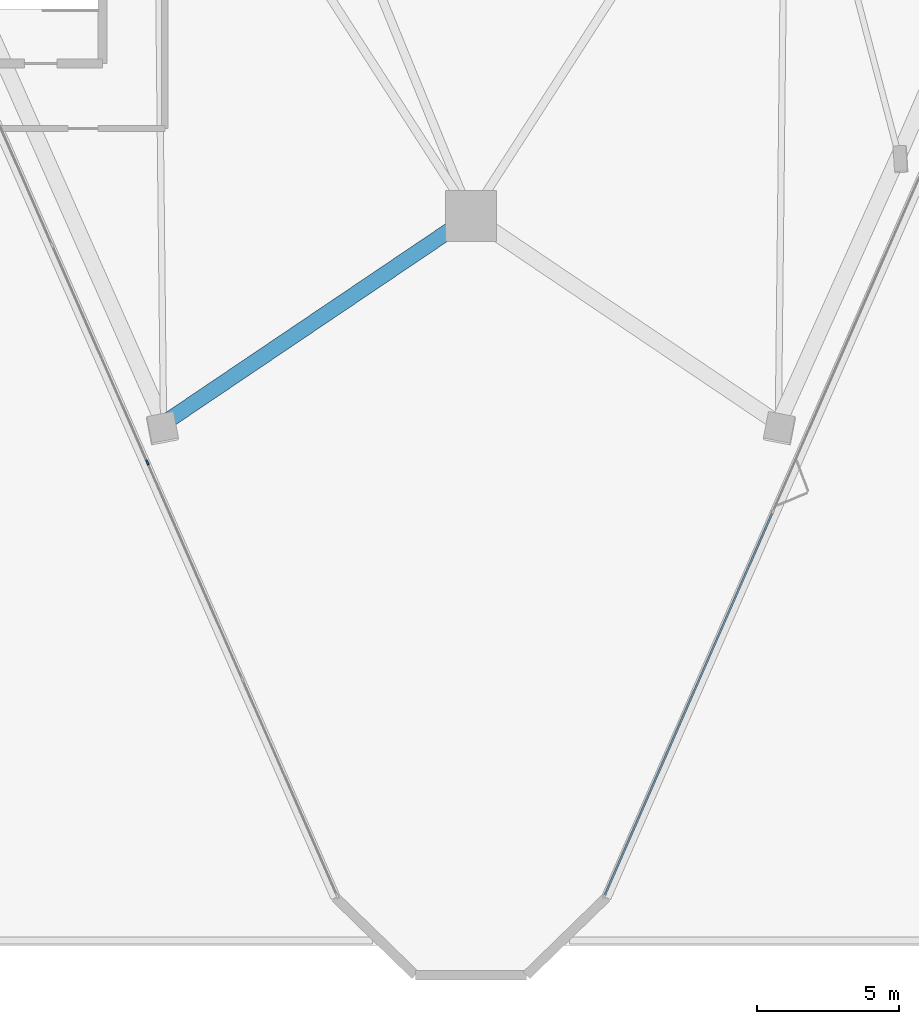
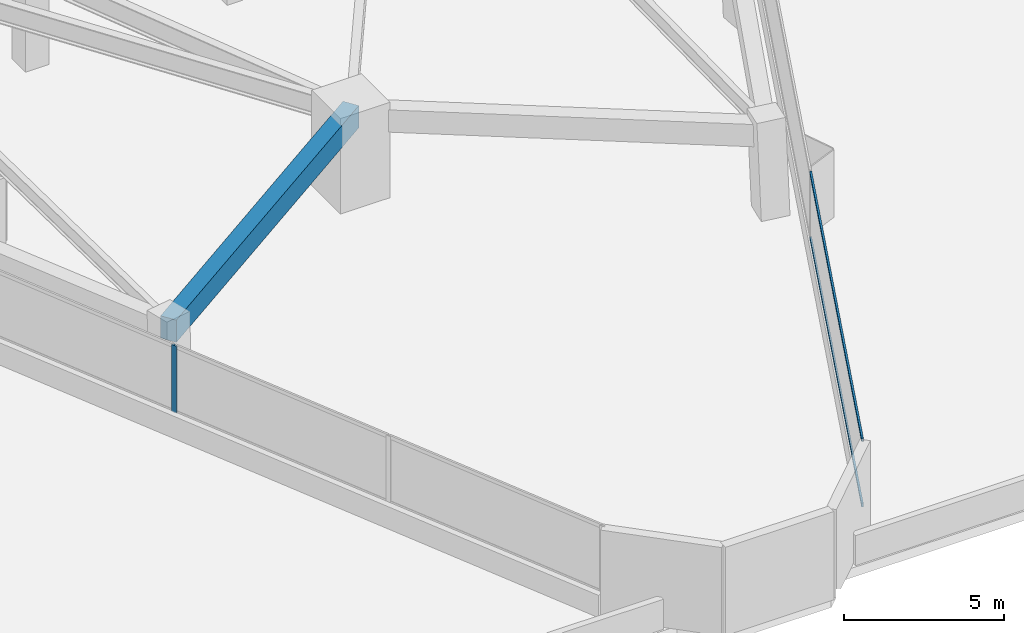
# One storey, part 3 of 21: 3 members, 1 beam, 2 elements without a shape of their own.
"""IFC4 building model written with IfcOpenShell, lengths in metres."""

import ifcopenshell
import ifcopenshell.guid

model = None  # the IFC model being written
_history = None  # IfcOwnerHistory: only IFC2X3 demands one
_inside = {}  # id of a spatial element -> (the spatial element, [elements in it])
_under = {}  # id of a project, library or spatial element -> (it, [spatial elements below it])
_declared = {}  # id of a project -> (the project, [libraries it declares])
_typed = {}  # id of a type object -> (the type object, [elements of that type])
_made_of = {}  # id of a material, layer set ... -> (it, [elements and type objects made of it])


def new_model(schema):
    """Start an empty IFC model of exactly this schema.

    Asked for "IFC4X3", IfcOpenShell would pick the latest addendum, in which some entities
    have other attributes; the version numbers below select the first issue.
    IFC2X3 requires an IfcOwnerHistory on every rooted entity: one is made here for all.
    """
    global model, _history
    if schema == "IFC4X3":
        model = ifcopenshell.file(schema_version=(4, 3, 0, 0))
    else:
        model = ifcopenshell.file(schema=schema)
    _inside.clear()
    _under.clear()
    _declared.clear()
    _typed.clear()
    _made_of.clear()
    _history = None
    if model.schema == "IFC2X3":
        org = make("IfcOrganization", Name="unknown")
        user = make(
            "IfcPersonAndOrganization",
            ThePerson=make("IfcPerson", FamilyName="unknown"),
            TheOrganization=org,
        )
        app = make(
            "IfcApplication",
            ApplicationDeveloper=org,
            Version="unknown",
            ApplicationFullName="unknown",
            ApplicationIdentifier="unknown",
        )
        _history = make(
            "IfcOwnerHistory",
            OwningUser=user,
            OwningApplication=app,
            ChangeAction="ADDED",
            CreationDate=0,
        )
    return model


def make(cls, **values):
    """One entity of the class cls with the attributes given. An attribute that is None is left unset."""
    return model.create_entity(
        cls, **{name: value for name, value in values.items() if value is not None}
    )


def rooted(cls, **values):
    """An entity with a GlobalId (a new one), such as an element, a storey or a relation."""
    return make(cls, GlobalId=ifcopenshell.guid.new(), OwnerHistory=_history, **values)


def si_unit(unit_type, name, prefix=None):
    """IfcSIUnit, for example si_unit("LENGTHUNIT", "METRE", prefix="MILLI")."""
    return make("IfcSIUnit", UnitType=unit_type, Prefix=prefix, Name=name)


def assignment(units):
    """IfcUnitAssignment: the units of a project."""
    return None if units is None else make("IfcUnitAssignment", Units=units)


def point(xyz):
    """IfcCartesianPoint."""
    return None if xyz is None else make("IfcCartesianPoint", Coordinates=xyz)


def direction(xyz):
    """IfcDirection."""
    return None if xyz is None else make("IfcDirection", DirectionRatios=xyz)


def frame(location, z_axis=None, x_axis=None):
    """IfcAxis2Placement3D, a coordinate frame: its origin and axes. An axis left out is left unset."""
    return make(
        "IfcAxis2Placement3D",
        Location=point(location),
        Axis=direction(z_axis),
        RefDirection=direction(x_axis),
    )


def frame_2d(location, x_axis=None):
    """IfcAxis2Placement2D, a coordinate frame in the plane: its origin and x axis."""
    return make(
        "IfcAxis2Placement2D", Location=point(location), RefDirection=direction(x_axis)
    )


def origin():
    """The frame at (0, 0, 0) with its axes left unset."""
    return frame((0.0, 0.0, 0.0))


def origin_2d():
    """The frame at (0, 0) in the plane with its x axis left unset."""
    return frame_2d((0.0, 0.0))


def place(relative_to, where):
    """IfcLocalPlacement: puts the frame where relative to a parent placement (None: the world)."""
    return make(
        "IfcLocalPlacement", PlacementRelTo=relative_to, RelativePlacement=where
    )


def context(
    kind, dimensions, precision=None, world=None, true_north=None, identifier=None
):
    """IfcGeometricRepresentationContext, for example the 3D "Model" context."""
    return make(
        "IfcGeometricRepresentationContext",
        ContextIdentifier=identifier,
        ContextType=kind,
        CoordinateSpaceDimension=dimensions,
        Precision=precision,
        WorldCoordinateSystem=world,
        TrueNorth=true_north,
    )


def subcontext(parent, identifier, kind, view, scale=None):
    """IfcGeometricRepresentationSubContext, for example "Body" below "Model"."""
    return make(
        "IfcGeometricRepresentationSubContext",
        ContextIdentifier=identifier,
        ContextType=kind,
        ParentContext=parent,
        TargetScale=scale,
        TargetView=view,
    )


def project(units=None, contexts=None):
    """IfcProject with its units and contexts."""
    return rooted(
        "IfcProject",
        Name="project",
        RepresentationContexts=contexts,
        UnitsInContext=assignment(units),
    )


def spatial(cls, under=None, at=None, **own):
    """A site, building, storey or space (cls), placed at a placement, below another one or the project."""
    s = rooted(cls, ObjectPlacement=at, **own)
    if under is not None:
        _under.setdefault(under.id(), (under, []))[1].append(s)
    return s


def profile(cls, at=None, kind="AREA", **sizes):
    """A parametric profile (cls). Its sizes go by their IFC names, for example OverallWidth=200.0."""
    return make(cls, ProfileType=kind, Position=at, **sizes)


def rectangle(**sizes):
    """IfcRectangleProfileDef."""
    return profile("IfcRectangleProfileDef", **sizes)


def extrude(swept, where, along, depth):
    """IfcExtrudedAreaSolid: the profile swept, set in the frame where, extruded along a direction by depth."""
    return make(
        "IfcExtrudedAreaSolid",
        SweptArea=swept,
        Position=where,
        ExtrudedDirection=direction(along),
        Depth=depth,
    )


def shape(context_of_items, identifier, shape_type, items):
    """IfcShapeRepresentation: the items that make up one representation, for example the "Body"."""
    return make(
        "IfcShapeRepresentation",
        ContextOfItems=context_of_items,
        RepresentationIdentifier=identifier,
        RepresentationType=shape_type,
        Items=items,
    )


def material(Name=None, Category=None):
    """IfcMaterial."""
    return make("IfcMaterial", Name=Name, Category=Category)


def layer(
    of_material, thickness, ventilated=None, Name=None, Category=None, Priority=None
):
    """IfcMaterialLayer: one layer of a wall or slab, of a material (None: an air gap)."""
    return make(
        "IfcMaterialLayer",
        Material=of_material,
        LayerThickness=thickness,
        IsVentilated=ventilated,
        Name=Name,
        Category=Category,
        Priority=Priority,
    )


def layer_set(layers, Name=None):
    """IfcMaterialLayerSet."""
    return make("IfcMaterialLayerSet", MaterialLayers=layers, LayerSetName=Name)


def material_profile(
    of_material, cross_section, Name=None, Category=None, Priority=None
):
    """IfcMaterialProfile: a cross section and its material."""
    return make(
        "IfcMaterialProfile",
        Name=Name,
        Material=of_material,
        Profile=cross_section,
        Priority=Priority,
        Category=Category,
    )


def profile_set(profiles, Name=None, composite=None):
    """IfcMaterialProfileSet."""
    return make(
        "IfcMaterialProfileSet",
        Name=Name,
        MaterialProfiles=profiles,
        CompositeProfile=composite,
    )


def made_of(thing, what):
    """Note that an element or type object is made of a material, layer set ...; save() writes the relation."""
    if what is not None:
        _made_of.setdefault(what.id(), (what, []))[1].append(thing)
    return thing


def type_object(cls, material=None, **own):
    """A type object (cls), such as IfcWallType, which elements share."""
    return made_of(rooted(cls, **own), material)


def element(
    cls,
    number,
    at=None,
    inside=None,
    cuts=None,
    type_object=None,
    material=None,
    context=None,
    identifier="Body",
    shape_type=None,
    held_by="IfcProductDefinitionShape",
    body=None,
    shapes=None,
    **own,
):
    """One element of the class cls, such as IfcWall. Its Tag is "e" and its number.

    at: its placement. inside: the storey or other place that contains it. cuts: it is an
    opening in that element (IfcRelVoidsElement). A single representation is given by context,
    identifier, shape_type and body (its items); several are given by shapes. held_by: the class
    of the entity that holds the representations. save() writes the other relations.
    """
    e = rooted(cls, Tag="e%d" % number, ObjectPlacement=at, **own)
    if body is not None:
        shapes = [shape(context, identifier, shape_type, body)]
    if shapes is not None:
        e.Representation = make(held_by, Representations=shapes)
    if inside is not None:
        _inside.setdefault(inside.id(), (inside, []))[1].append(e)
    if cuts is not None:
        rooted(
            "IfcRelVoidsElement", RelatingBuildingElement=cuts, RelatedOpeningElement=e
        )
    if type_object is not None:
        _typed.setdefault(type_object.id(), (type_object, []))[1].append(e)
    return made_of(e, material)


def aggregate(whole, parts):
    """IfcRelAggregates: a whole, such as a stair, and the parts it consists of."""
    return rooted("IfcRelAggregates", RelatingObject=whole, RelatedObjects=parts)


def save(model, path):
    """Write the relations noted so far, then the file.

    IfcRelAggregates (storeys below a building ...), IfcRelContainedInSpatialStructure (elements
    in a storey), IfcRelDefinesByType, IfcRelAssociatesMaterial and IfcRelDeclares: one each for
    every whole, place, type object, material and project.
    """
    for whole, parts in _under.values():
        aggregate(whole, parts)
    for where, things in _inside.values():
        rooted(
            "IfcRelContainedInSpatialStructure",
            RelatedElements=things,
            RelatingStructure=where,
        )
    for kind, things in _typed.values():
        rooted("IfcRelDefinesByType", RelatedObjects=things, RelatingType=kind)
    for what, things in _made_of.values():
        rooted("IfcRelAssociatesMaterial", RelatedObjects=things, RelatingMaterial=what)
    for by, libraries in _declared.values():
        rooted("IfcRelDeclares", RelatingContext=by, RelatedDefinitions=libraries)
    model.write(path)


model = new_model("IFC4")

# Units and contexts
model_context = context("Model", 3, precision=1e-05, world=origin(), true_north=direction((0.0, 1.0)))
body_context = subcontext(model_context, "Body", "Model", "MODEL_VIEW")
ifc_project = project(units=[si_unit("LENGTHUNIT", "METRE"), si_unit("AREAUNIT", "SQUARE_METRE"), si_unit("VOLUMEUNIT", "CUBIC_METRE"), si_unit("PLANEANGLEUNIT", "RADIAN"), si_unit("MASSUNIT", "GRAM", prefix="KILO")], contexts=[model_context])

# Site, building, storey
site_placement = place(None, origin())
site = spatial("IfcSite", under=ifc_project, at=site_placement, CompositionType="ELEMENT")
building_placement = place(site_placement, origin())
building = spatial("IfcBuilding", under=site, at=building_placement, Name="Talyreon Biosciences Tower", CompositionType="ELEMENT")
storey_placement = place(building_placement, frame((0.0, 0.0, 22.800048828125)))
storey = spatial("IfcBuildingStorey", under=building, at=storey_placement, Name="L05", CompositionType="ELEMENT", Elevation=22.800048828125)

# Curtain wall, member
ifc_material_1 = material(Name="Thermally broken aluminium and low-E glazing", Category="aluminium")
ifc_layer = layer(ifc_material_1, 0.195068359375)
ifc_layer_set = layer_set([ifc_layer], Name="Thermally broken aluminium and low-E glazing")
curtain_wall_type = type_object("IfcCurtainWallType", Name="CurtainWall_Zone1WetLab", PredefinedType="NOTDEFINED", material=ifc_layer_set)
curtain_wall_1_placement = place(storey_placement, origin())
curtain_wall_1 = element("IfcCurtainWall", 1, at=curtain_wall_1_placement, inside=storey, type_object=curtain_wall_type, Name="L05 Unitised Curtain Wall FCW-L05-00A", PredefinedType="NOTDEFINED")
ifc_material_2 = material(Name="Anodised thermally broken aluminium", Category="aluminium")
ifc_material_profile_1 = material_profile(ifc_material_2, rectangle(XDim=0.06494140625, YDim=0.179931640625, at=origin_2d()), Name="ALUM MULLION 65x180")
ifc_profile_set_1 = profile_set([ifc_material_profile_1], Name="Anodised thermally broken aluminium")
member_type_1 = type_object("IfcMemberType", Name="CWMullion_65x180", PredefinedType="MULLION", material=ifc_profile_set_1)
member_1_placement = place(storey_placement, frame((54.615234375, 33.001220703125, 0.81005859375), z_axis=(0.0, 0.0, 1.0), x_axis=(-0.915927065786, -0.401344752253, 0.0)))
member_1 = element("IfcMember", 2, at=member_1_placement, type_object=member_type_1, Name="CW2 mullion 3", PredefinedType="MULLION", context=body_context, shape_type="SweptSolid", body=[
    extrude(rectangle(XDim=0.06494140625, YDim=0.179931640625, at=origin_2d()), origin(), (0.0, 0.0, 1.0), 2.56494140625),
])
aggregate(curtain_wall_1, [member_1])

# Curtain wall, members
curtain_wall_2_placement = place(storey_placement, origin())
curtain_wall_2 = element("IfcCurtainWall", 3, at=curtain_wall_2_placement, inside=storey, type_object=curtain_wall_type, Name="L05 Unitised Curtain Wall FCW-L05-08", PredefinedType="NOTDEFINED")
ifc_material_profile_2 = material_profile(ifc_material_2, rectangle(XDim=0.06494140625, YDim=0.139892578125, at=origin_2d()), Name="ALUM TRANSOM 65x140")
ifc_profile_set_2 = profile_set([ifc_material_profile_2], Name="Anodised thermally broken aluminium")
member_type_2 = type_object("IfcMemberType", Name="CWTransom_65x140", PredefinedType="USERDEFINED", material=ifc_profile_set_2)
member_2_placement = place(storey_placement, frame((76.598876953125, 31.207275390625, 0.842529296875), z_axis=(-0.401351725582, -0.915924010152, 0.0), x_axis=(0.915924010152, -0.401351725582, 0.0)))
member_2 = element("IfcMember", 4, at=member_2_placement, type_object=member_type_2, Name="CW2 transom 5.1", ObjectType="TRANSOM", PredefinedType="USERDEFINED", context=body_context, shape_type="SweptSolid", body=[
    extrude(rectangle(XDim=0.06494140625, YDim=0.139892578125, at=origin_2d()), origin(), (0.0, 0.0, 1.0), 14.65869140625),
])
member_3_placement = place(storey_placement, frame((76.598876953125, 31.207275390625, 3.342529296875), z_axis=(-0.401351725582, -0.915924010152, 0.0), x_axis=(0.915924010152, -0.401351725582, 0.0)))
member_3 = element("IfcMember", 5, at=member_3_placement, type_object=member_type_2, Name="CW2 transom 5.2", ObjectType="TRANSOM", PredefinedType="USERDEFINED", context=body_context, shape_type="SweptSolid", body=[
    extrude(rectangle(XDim=0.06494140625, YDim=0.139892578125, at=origin_2d()), origin(), (0.0, 0.0, 1.0), 14.65869140625),
])
aggregate(curtain_wall_2, [member_2, member_3])

# Beam
ifc_material_3 = material(Name="Precast concrete C45/55", Category="concrete")
ifc_material_profile_3 = material_profile(ifc_material_3, rectangle(XDim=0.550048828125, YDim=0.85009765625, at=origin_2d()), Name="RCB 550x850")
ifc_profile_set_3 = profile_set([ifc_material_profile_3], Name="Precast concrete C45/55")
beam_type = type_object("IfcBeamType", Name="ExpressedSpandrel_550x850", PredefinedType="SPANDREL", material=ifc_profile_set_3)
beam_placement = place(storey_placement, frame((55.183837890625, 34.36962890625, 2.949951171875), z_axis=(0.828974684382, 0.559286127715, 0.0), x_axis=(-0.559286127715, 0.828974684382, 0.0)))
element("IfcBeam", 6, at=beam_placement, inside=storey, type_object=beam_type, Name="L05 Expressed Horizontal Concrete Spandrel 12", PredefinedType="SPANDREL", context=body_context, shape_type="SweptSolid", body=[
    extrude(rectangle(XDim=0.550048828125, YDim=0.85009765625, at=origin_2d()), origin(), (0.0, 0.0, 1.0), 13.047607421875),
])

save(model, "model.ifc")
